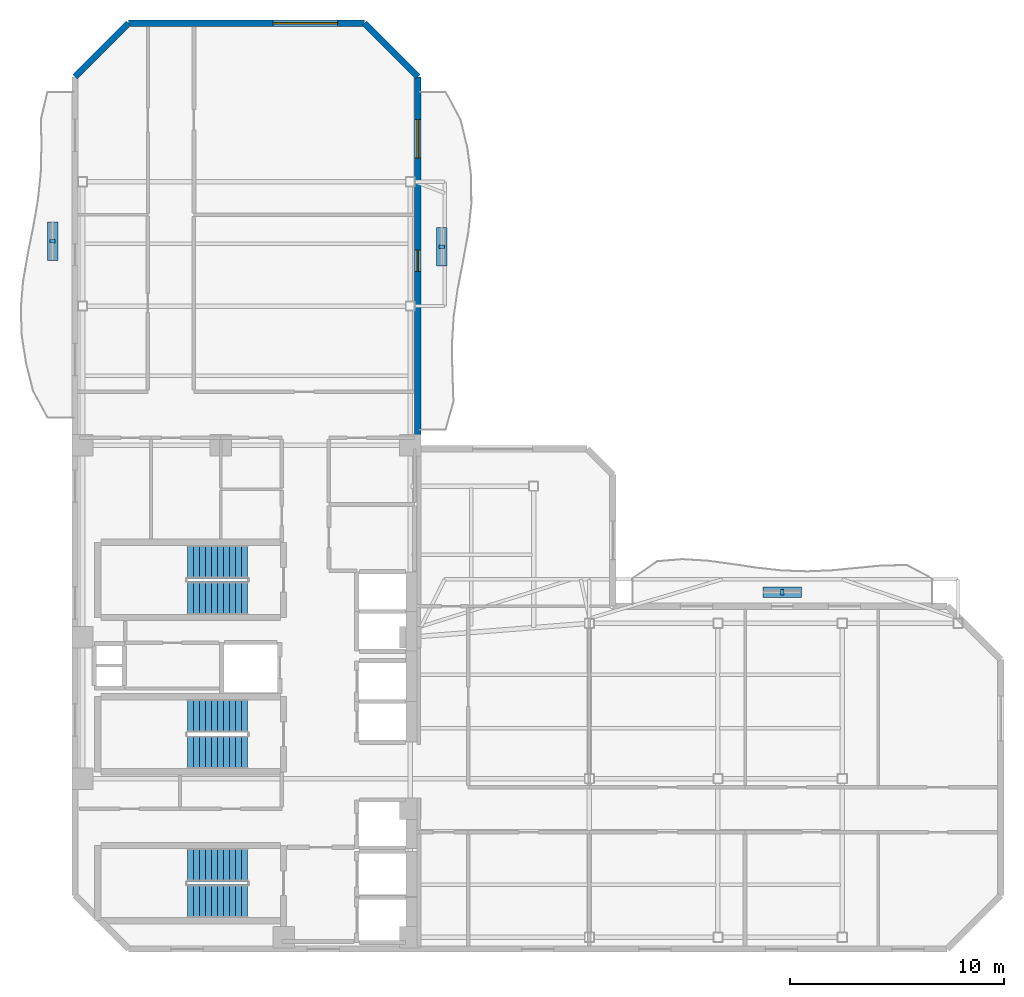
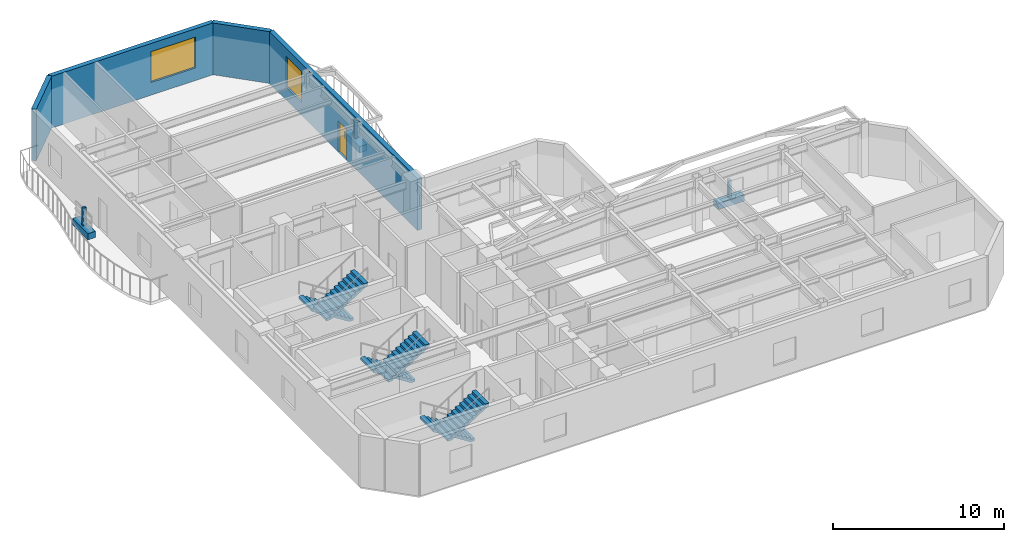
# One storey, part 6 of 9: 6 discrete accessories, 6 stair flights, 4 walls, 2 windows, 1 door, 3 openings, 3 elements without a shape of their own.
"""IFC4 building model written with IfcOpenShell, lengths in metres."""

import ifcopenshell
import ifcopenshell.guid

model = None  # the IFC model being written
_history = None  # IfcOwnerHistory: only IFC2X3 demands one
_inside = {}  # id of a spatial element -> (the spatial element, [elements in it])
_under = {}  # id of a project, library or spatial element -> (it, [spatial elements below it])
_declared = {}  # id of a project -> (the project, [libraries it declares])
_typed = {}  # id of a type object -> (the type object, [elements of that type])
_made_of = {}  # id of a material, layer set ... -> (it, [elements and type objects made of it])


def new_model(schema):
    """Start an empty IFC model of exactly this schema.

    Asked for "IFC4X3", IfcOpenShell would pick the latest addendum, in which some entities
    have other attributes; the version numbers below select the first issue.
    IFC2X3 requires an IfcOwnerHistory on every rooted entity: one is made here for all.
    """
    global model, _history
    if schema == "IFC4X3":
        model = ifcopenshell.file(schema_version=(4, 3, 0, 0))
    else:
        model = ifcopenshell.file(schema=schema)
    _inside.clear()
    _under.clear()
    _declared.clear()
    _typed.clear()
    _made_of.clear()
    _history = None
    if model.schema == "IFC2X3":
        org = make("IfcOrganization", Name="unknown")
        user = make(
            "IfcPersonAndOrganization",
            ThePerson=make("IfcPerson", FamilyName="unknown"),
            TheOrganization=org,
        )
        app = make(
            "IfcApplication",
            ApplicationDeveloper=org,
            Version="unknown",
            ApplicationFullName="unknown",
            ApplicationIdentifier="unknown",
        )
        _history = make(
            "IfcOwnerHistory",
            OwningUser=user,
            OwningApplication=app,
            ChangeAction="ADDED",
            CreationDate=0,
        )
    return model


def make(cls, **values):
    """One entity of the class cls with the attributes given. An attribute that is None is left unset."""
    return model.create_entity(
        cls, **{name: value for name, value in values.items() if value is not None}
    )


def rooted(cls, **values):
    """An entity with a GlobalId (a new one), such as an element, a storey or a relation."""
    return make(cls, GlobalId=ifcopenshell.guid.new(), OwnerHistory=_history, **values)


def si_unit(unit_type, name, prefix=None):
    """IfcSIUnit, for example si_unit("LENGTHUNIT", "METRE", prefix="MILLI")."""
    return make("IfcSIUnit", UnitType=unit_type, Prefix=prefix, Name=name)


def assignment(units):
    """IfcUnitAssignment: the units of a project."""
    return None if units is None else make("IfcUnitAssignment", Units=units)


def point(xyz):
    """IfcCartesianPoint."""
    return None if xyz is None else make("IfcCartesianPoint", Coordinates=xyz)


def direction(xyz):
    """IfcDirection."""
    return None if xyz is None else make("IfcDirection", DirectionRatios=xyz)


def frame(location, z_axis=None, x_axis=None):
    """IfcAxis2Placement3D, a coordinate frame: its origin and axes. An axis left out is left unset."""
    return make(
        "IfcAxis2Placement3D",
        Location=point(location),
        Axis=direction(z_axis),
        RefDirection=direction(x_axis),
    )


def frame_2d(location, x_axis=None):
    """IfcAxis2Placement2D, a coordinate frame in the plane: its origin and x axis."""
    return make(
        "IfcAxis2Placement2D", Location=point(location), RefDirection=direction(x_axis)
    )


def origin():
    """The frame at (0, 0, 0) with its axes left unset."""
    return frame((0.0, 0.0, 0.0))


def origin_2d():
    """The frame at (0, 0) in the plane with its x axis left unset."""
    return frame_2d((0.0, 0.0))


def place(relative_to, where):
    """IfcLocalPlacement: puts the frame where relative to a parent placement (None: the world)."""
    return make(
        "IfcLocalPlacement", PlacementRelTo=relative_to, RelativePlacement=where
    )


def context(
    kind, dimensions, precision=None, world=None, true_north=None, identifier=None
):
    """IfcGeometricRepresentationContext, for example the 3D "Model" context."""
    return make(
        "IfcGeometricRepresentationContext",
        ContextIdentifier=identifier,
        ContextType=kind,
        CoordinateSpaceDimension=dimensions,
        Precision=precision,
        WorldCoordinateSystem=world,
        TrueNorth=true_north,
    )


def subcontext(parent, identifier, kind, view, scale=None):
    """IfcGeometricRepresentationSubContext, for example "Body" below "Model"."""
    return make(
        "IfcGeometricRepresentationSubContext",
        ContextIdentifier=identifier,
        ContextType=kind,
        ParentContext=parent,
        TargetScale=scale,
        TargetView=view,
    )


def project(units=None, contexts=None):
    """IfcProject with its units and contexts."""
    return rooted(
        "IfcProject",
        Name="project",
        RepresentationContexts=contexts,
        UnitsInContext=assignment(units),
    )


def spatial(cls, under=None, at=None, **own):
    """A site, building, storey or space (cls), placed at a placement, below another one or the project."""
    s = rooted(cls, ObjectPlacement=at, **own)
    if under is not None:
        _under.setdefault(under.id(), (under, []))[1].append(s)
    return s


def polyline(points):
    """IfcPolyline through the points."""
    return make("IfcPolyline", Points=[point(p) for p in points])


def profile(cls, at=None, kind="AREA", **sizes):
    """A parametric profile (cls). Its sizes go by their IFC names, for example OverallWidth=200.0."""
    return make(cls, ProfileType=kind, Position=at, **sizes)


def rectangle(**sizes):
    """IfcRectangleProfileDef."""
    return profile("IfcRectangleProfileDef", **sizes)


def outline(outer, holes=None, kind="AREA"):
    """IfcArbitraryClosedProfileDef: a profile drawn as a closed curve; with holes, ...WithVoids."""
    if holes is None:
        return make("IfcArbitraryClosedProfileDef", ProfileType=kind, OuterCurve=outer)
    return make(
        "IfcArbitraryProfileDefWithVoids",
        ProfileType=kind,
        OuterCurve=outer,
        InnerCurves=holes,
    )


def extrude(swept, where, along, depth):
    """IfcExtrudedAreaSolid: the profile swept, set in the frame where, extruded along a direction by depth."""
    return make(
        "IfcExtrudedAreaSolid",
        SweptArea=swept,
        Position=where,
        ExtrudedDirection=direction(along),
        Depth=depth,
    )


def shape(context_of_items, identifier, shape_type, items):
    """IfcShapeRepresentation: the items that make up one representation, for example the "Body"."""
    return make(
        "IfcShapeRepresentation",
        ContextOfItems=context_of_items,
        RepresentationIdentifier=identifier,
        RepresentationType=shape_type,
        Items=items,
    )


def material(Name=None, Category=None):
    """IfcMaterial."""
    return make("IfcMaterial", Name=Name, Category=Category)


def layer(
    of_material, thickness, ventilated=None, Name=None, Category=None, Priority=None
):
    """IfcMaterialLayer: one layer of a wall or slab, of a material (None: an air gap)."""
    return make(
        "IfcMaterialLayer",
        Material=of_material,
        LayerThickness=thickness,
        IsVentilated=ventilated,
        Name=Name,
        Category=Category,
        Priority=Priority,
    )


def layer_set(layers, Name=None):
    """IfcMaterialLayerSet."""
    return make("IfcMaterialLayerSet", MaterialLayers=layers, LayerSetName=Name)


def made_of(thing, what):
    """Note that an element or type object is made of a material, layer set ...; save() writes the relation."""
    if what is not None:
        _made_of.setdefault(what.id(), (what, []))[1].append(thing)
    return thing


def type_object(cls, material=None, **own):
    """A type object (cls), such as IfcWallType, which elements share."""
    return made_of(rooted(cls, **own), material)


def element(
    cls,
    number,
    at=None,
    inside=None,
    cuts=None,
    type_object=None,
    material=None,
    context=None,
    identifier="Body",
    shape_type=None,
    held_by="IfcProductDefinitionShape",
    body=None,
    shapes=None,
    **own,
):
    """One element of the class cls, such as IfcWall. Its Tag is "e" and its number.

    at: its placement. inside: the storey or other place that contains it. cuts: it is an
    opening in that element (IfcRelVoidsElement). A single representation is given by context,
    identifier, shape_type and body (its items); several are given by shapes. held_by: the class
    of the entity that holds the representations. save() writes the other relations.
    """
    e = rooted(cls, Tag="e%d" % number, ObjectPlacement=at, **own)
    if body is not None:
        shapes = [shape(context, identifier, shape_type, body)]
    if shapes is not None:
        e.Representation = make(held_by, Representations=shapes)
    if inside is not None:
        _inside.setdefault(inside.id(), (inside, []))[1].append(e)
    if cuts is not None:
        rooted(
            "IfcRelVoidsElement", RelatingBuildingElement=cuts, RelatedOpeningElement=e
        )
    if type_object is not None:
        _typed.setdefault(type_object.id(), (type_object, []))[1].append(e)
    return made_of(e, material)


def fill(opening, filler):
    """IfcRelFillsElement: the door or window that sits in an opening."""
    return rooted(
        "IfcRelFillsElement",
        RelatingOpeningElement=opening,
        RelatedBuildingElement=filler,
    )


def aggregate(whole, parts):
    """IfcRelAggregates: a whole, such as a stair, and the parts it consists of."""
    return rooted("IfcRelAggregates", RelatingObject=whole, RelatedObjects=parts)


def save(model, path):
    """Write the relations noted so far, then the file.

    IfcRelAggregates (storeys below a building ...), IfcRelContainedInSpatialStructure (elements
    in a storey), IfcRelDefinesByType, IfcRelAssociatesMaterial and IfcRelDeclares: one each for
    every whole, place, type object, material and project.
    """
    for whole, parts in _under.values():
        aggregate(whole, parts)
    for where, things in _inside.values():
        rooted(
            "IfcRelContainedInSpatialStructure",
            RelatedElements=things,
            RelatingStructure=where,
        )
    for kind, things in _typed.values():
        rooted("IfcRelDefinesByType", RelatedObjects=things, RelatingType=kind)
    for what, things in _made_of.values():
        rooted("IfcRelAssociatesMaterial", RelatedObjects=things, RelatingMaterial=what)
    for by, libraries in _declared.values():
        rooted("IfcRelDeclares", RelatingContext=by, RelatedDefinitions=libraries)
    model.write(path)


model = new_model("IFC4")

# Units and contexts
model_context = context("Model", 3, precision=1e-05, world=origin(), true_north=direction((0.0, 1.0)))
body_context = subcontext(model_context, "Body", "Model", "MODEL_VIEW")
ifc_project = project(units=[si_unit("LENGTHUNIT", "METRE"), si_unit("AREAUNIT", "SQUARE_METRE"), si_unit("VOLUMEUNIT", "CUBIC_METRE"), si_unit("PLANEANGLEUNIT", "RADIAN"), si_unit("MASSUNIT", "GRAM", prefix="KILO")], contexts=[model_context])

# Site, building, storey
site_placement = place(None, origin())
site = spatial("IfcSite", under=ifc_project, at=site_placement, CompositionType="ELEMENT")
building_placement = place(site_placement, origin())
building = spatial("IfcBuilding", under=site, at=building_placement, Name="Mawjaban Terraces University", CompositionType="ELEMENT")
storey_placement = place(building_placement, frame((0.0, 0.0, 203.10009765625)))
storey = spatial("IfcBuildingStorey", under=building, at=storey_placement, Name="L49", CompositionType="ELEMENT", Elevation=203.10009765625)

# Wall, openings, door, window
ifc_material_1 = material(Name="Insulated terracotta rainscreen on concrete backup C40/50", Category="masonry")
ifc_layer = layer(ifc_material_1, 0.300048828125)
ifc_layer_set = layer_set([ifc_layer], Name="Insulated terracotta rainscreen on concrete backup C40/50")
wall_type = type_object("IfcWallType", Name="ExtTerracottaWall_300", PredefinedType="SOLIDWALL", material=ifc_layer_set)
wall_1_placement = place(storey_placement, frame((38.0, 23.3349609375, 0.0), z_axis=(0.0, 0.0, 1.0), x_axis=(0.0, 1.0, 0.0)))
wall_1 = element("IfcWall", 1, at=wall_1_placement, inside=storey, type_object=wall_type, Name="L49 Exterior Terracotta Wall 9", PredefinedType="SOLIDWALL", context=body_context, shape_type="SweptSolid", body=[
    extrude(rectangle(XDim=17.364990234375, YDim=0.300048828125, at=frame_2d((8.6826171875, 0.0))), origin(), (0.0, 0.0, 1.0), 3.68994140625),
])
opening_1_placement = place(wall_1_placement, frame((8.281982421875, 0.0, 0.0)))
opening_1 = element("IfcOpeningElement", 2, at=opening_1_placement, cuts=wall_1, Name="Opening BD-100", PredefinedType="OPENING", context=body_context, shape_type="SweptSolid", body=[
    extrude(rectangle(XDim=1.0, YDim=2.199951171875, at=frame_2d((0.5, 1.10009765625))), frame((0.0, 0.159912109375, 0.0), z_axis=(0.0, -1.0, 0.0), x_axis=(1.0, 0.0, 0.0)), (0.0, 0.0, 1.0), 0.320068359375),
])
opening_2_placement = place(wall_1_placement, frame((13.571044921875, 0.0, 0.89990234375)))
opening_2 = element("IfcOpeningElement", 3, at=opening_2_placement, cuts=wall_1, Name="Opening W-10", PredefinedType="OPENING", context=body_context, shape_type="SweptSolid", body=[
    extrude(rectangle(XDim=1.800048828125, YDim=2.199951171875, at=frame_2d((0.89990234375, 1.10009765625))), frame((0.0, 0.159912109375, 0.0), z_axis=(0.0, -1.0, 0.0), x_axis=(1.0, 0.0, 0.0)), (0.0, 0.0, 1.0), 0.320068359375),
])
ifc_material_2 = material(Name="Thermally broken anodised aluminium and laminated safety glass", Category="aluminium")
door_type = type_object("IfcDoorType", Name="BalconyGlazedDoor_1000x2200", OperationType="NOTDEFINED", PredefinedType="DOOR", material=ifc_material_2)
door_placement = place(opening_1_placement, origin())
door = element("IfcDoor", 4, at=door_placement, inside=storey, type_object=door_type, Name="L49 Balcony Access Door inner_east", OperationType="SINGLE_SWING_RIGHT", OverallHeight=2.199951171875, OverallWidth=1.0, PredefinedType="DOOR", context=body_context, shape_type="SweptSolid", body=[
    extrude(rectangle(XDim=1.0, YDim=2.199951171875, at=frame_2d((0.5, 1.10009765625))), frame((0.0, 0.02490234375, 0.0), z_axis=(0.0, -1.0, 0.0), x_axis=(1.0, 0.0, 0.0)), (0.0, 0.0, 1.0), 0.050048828125),
])
fill(opening_1, door)
ifc_material_3 = material(Name="Low-E solar-control double glazing in thermally broken aluminium frame", Category="aluminium")
window_type_1 = type_object("IfcWindowType", Name="Win_1800x2200", PartitioningType="SINGLE_PANEL", PredefinedType="WINDOW", material=ifc_material_3)
window_1_placement = place(opening_2_placement, origin())
window_1 = element("IfcWindow", 5, at=window_1_placement, inside=storey, type_object=window_type_1, Name="L49 Facade Window 9.3", OverallHeight=2.199951171875, OverallWidth=1.800048828125, PartitioningType="SINGLE_PANEL", PredefinedType="WINDOW", context=body_context, shape_type="SweptSolid", body=[
    extrude(rectangle(XDim=1.800048828125, YDim=2.199951171875, at=frame_2d((0.89990234375, 1.10009765625))), frame((0.0, 0.030029296875, 0.0), z_axis=(0.0, -1.0, 0.0), x_axis=(1.0, 0.0, 0.0)), (0.0, 0.0, 1.0), 0.06005859375),
])
fill(opening_2, window_1)

# Wall
wall_2_placement = place(storey_placement, frame((38.0, 40.699951171875, 0.0), z_axis=(0.0, 0.0, 1.0), x_axis=(-0.707106781187, 0.707106781187, 0.0)))
element("IfcWall", 6, at=wall_2_placement, inside=storey, type_object=wall_type, Name="L49 Exterior Terracotta Wall 10", PredefinedType="SOLIDWALL", context=body_context, shape_type="SweptSolid", body=[
    extrude(rectangle(XDim=3.53564453125, YDim=0.300048828125, at=frame_2d((1.767822265625, 0.0))), origin(), (0.0, 0.0, 1.0), 3.68994140625),
])

# Wall, opening, window
wall_3_placement = place(storey_placement, frame((35.5, 43.199951171875, 0.0), z_axis=(0.0, 0.0, 1.0), x_axis=(-1.0, 0.0, 0.0)))
wall_3 = element("IfcWall", 7, at=wall_3_placement, inside=storey, type_object=wall_type, Name="L49 Exterior Terracotta Wall 11", PredefinedType="SOLIDWALL", context=body_context, shape_type="SweptSolid", body=[
    extrude(rectangle(XDim=11.0, YDim=0.300048828125, at=frame_2d((5.5, 0.0))), origin(), (0.0, 0.0, 1.0), 3.68994140625),
])
opening_3_placement = place(wall_3_placement, frame((1.25, 0.0, 0.89990234375)))
opening_3 = element("IfcOpeningElement", 8, at=opening_3_placement, cuts=wall_3, Name="Opening W-12", PredefinedType="OPENING", context=body_context, shape_type="SweptSolid", body=[
    extrude(rectangle(XDim=3.0, YDim=2.199951171875, at=frame_2d((1.5, 1.10009765625))), frame((0.0, 0.159912109375, 0.0), z_axis=(0.0, -1.0, 0.0), x_axis=(1.0, 0.0, 0.0)), (0.0, 0.0, 1.0), 0.320068359375),
])
window_type_2 = type_object("IfcWindowType", Name="Win_3000x2200", PartitioningType="SINGLE_PANEL", PredefinedType="WINDOW", material=ifc_material_3)
window_2_placement = place(opening_3_placement, origin())
window_2 = element("IfcWindow", 9, at=window_2_placement, inside=storey, type_object=window_type_2, Name="L49 Facade Window 11.1", OverallHeight=2.199951171875, OverallWidth=3.0, PartitioningType="SINGLE_PANEL", PredefinedType="WINDOW", context=body_context, shape_type="SweptSolid", body=[
    extrude(rectangle(XDim=3.0, YDim=2.199951171875, at=frame_2d((1.5, 1.10009765625))), frame((0.0, 0.030029296875, 0.0), z_axis=(0.0, -1.0, 0.0), x_axis=(1.0, 0.0, 0.0)), (0.0, 0.0, 1.0), 0.06005859375),
])
fill(opening_3, window_2)

# Wall
wall_4_placement = place(storey_placement, frame((24.5, 43.199951171875, 0.0), z_axis=(0.0, 0.0, 1.0), x_axis=(-0.707106781187, -0.707106781187, 0.0)))
element("IfcWall", 10, at=wall_4_placement, inside=storey, type_object=wall_type, Name="L49 Exterior Terracotta Wall 12", PredefinedType="SOLIDWALL", context=body_context, shape_type="SweptSolid", body=[
    extrude(rectangle(XDim=3.53564453125, YDim=0.300048828125, at=frame_2d((1.767822265625, 0.0))), origin(), (0.0, 0.0, 1.0), 3.68994140625),
])

# Stair, stair flights
ifc_material_4 = material(Name="Concrete C40/50", Category="concrete")
stair_type = type_object("IfcStairType", Name="Stair_Core1550_H39", PredefinedType="HALF_TURN_STAIR", material=ifc_material_4)
stair_1_placement = place(storey_placement, origin())
stair_1 = element("IfcStair", 11, at=stair_1_placement, inside=storey, type_object=stair_type, Name="L49 Core Exit Stair 1", PredefinedType="HALF_TURN_STAIR")
stair_flight_type = type_object("IfcStairFlightType", Name="Flight_Core1550_H39", PredefinedType="STRAIGHT", material=ifc_material_4)
stair_flight_1_placement = place(storey_placement, frame((30.050048828125, 3.925048828125, 0.0), z_axis=(0.0, 0.0, 1.0), x_axis=(-1.0, 0.0, 0.0)))
stair_flight_1 = element("IfcStairFlight", 12, at=stair_flight_1_placement, type_object=stair_flight_type, Name="ST-1 flight 1", NumberOfRisers=11, NumberOfTreads=10, PredefinedType="STRAIGHT", RiserHeight=0.177272727, TreadLength=0.28, context=body_context, shape_type="SweptSolid", body=[
    extrude(outline(polyline([(0.0, 0.0), (0.0, 0.17724609375), (0.280029296875, 0.17724609375), (0.280029296875, 0.3544921875), (0.56005859375, 0.3544921875), (0.56005859375, 0.53173828125), (0.840087890625, 0.53173828125), (0.840087890625, 0.708984375), (1.1201171875, 0.708984375), (1.1201171875, 0.886474609375), (1.39990234375, 0.886474609375), (1.39990234375, 1.063720703125), (1.679931640625, 1.063720703125), (1.679931640625, 1.240966796875), (1.9599609375, 1.240966796875), (1.9599609375, 1.418212890625), (2.239990234375, 1.418212890625), (2.239990234375, 1.595458984375), (2.52001953125, 1.595458984375), (2.52001953125, 1.772705078125), (2.800048828125, 1.772705078125), (2.800048828125, 1.949951171875), (2.800048828125, 1.59521484375), (0.2802734375, 0.0), (0.0, 0.0)])), frame((0.0, 0.77490234375, 0.0), z_axis=(0.0, -1.0, 0.0), x_axis=(1.0, 0.0, 0.0)), (0.0, 0.0, 1.0), 1.550048828125),
])
stair_flight_2_placement = place(storey_placement, frame((27.25, 2.22509765625, 1.949951171875), z_axis=(0.0, 0.0, 1.0), x_axis=(1.0, 0.0, 0.0)))
stair_flight_2 = element("IfcStairFlight", 13, at=stair_flight_2_placement, type_object=stair_flight_type, Name="ST-1 flight 2", NumberOfRisers=11, NumberOfTreads=10, PredefinedType="STRAIGHT", RiserHeight=0.177272727, TreadLength=0.28, context=body_context, shape_type="SweptSolid", body=[
    extrude(outline(polyline([(0.0, 0.0), (0.0, 0.17724609375), (0.280029296875, 0.17724609375), (0.280029296875, 0.3544921875), (0.56005859375, 0.3544921875), (0.56005859375, 0.53173828125), (0.840087890625, 0.53173828125), (0.840087890625, 0.708984375), (1.1201171875, 0.708984375), (1.1201171875, 0.886474609375), (1.39990234375, 0.886474609375), (1.39990234375, 1.063720703125), (1.679931640625, 1.063720703125), (1.679931640625, 1.240966796875), (1.9599609375, 1.240966796875), (1.9599609375, 1.418212890625), (2.239990234375, 1.418212890625), (2.239990234375, 1.595458984375), (2.52001953125, 1.595458984375), (2.52001953125, 1.772705078125), (2.800048828125, 1.772705078125), (2.800048828125, 1.949951171875), (2.800048828125, 1.59521484375), (0.2802734375, 0.0), (0.0, 0.0)])), frame((0.0, 0.77490234375, 0.0), z_axis=(0.0, -1.0, 0.0), x_axis=(1.0, 0.0, 0.0)), (0.0, 0.0, 1.0), 1.550048828125),
])
aggregate(stair_1, [stair_flight_1, stair_flight_2])

stair_2_placement = place(storey_placement, origin())
stair_2 = element("IfcStair", 14, at=stair_2_placement, inside=storey, type_object=stair_type, Name="L49 Core Exit Stair 2", PredefinedType="HALF_TURN_STAIR")
stair_flight_3_placement = place(storey_placement, frame((30.050048828125, 18.074951171875, 0.0), z_axis=(0.0, 0.0, 1.0), x_axis=(-1.0, 0.0, 0.0)))
stair_flight_3 = element("IfcStairFlight", 15, at=stair_flight_3_placement, type_object=stair_flight_type, Name="ST-2 flight 1", NumberOfRisers=11, NumberOfTreads=10, PredefinedType="STRAIGHT", RiserHeight=0.177272727, TreadLength=0.28, context=body_context, shape_type="SweptSolid", body=[
    extrude(outline(polyline([(0.0, 0.0), (0.0, 0.17724609375), (0.280029296875, 0.17724609375), (0.280029296875, 0.3544921875), (0.56005859375, 0.3544921875), (0.56005859375, 0.53173828125), (0.840087890625, 0.53173828125), (0.840087890625, 0.708984375), (1.1201171875, 0.708984375), (1.1201171875, 0.886474609375), (1.39990234375, 0.886474609375), (1.39990234375, 1.063720703125), (1.679931640625, 1.063720703125), (1.679931640625, 1.240966796875), (1.9599609375, 1.240966796875), (1.9599609375, 1.418212890625), (2.239990234375, 1.418212890625), (2.239990234375, 1.595458984375), (2.52001953125, 1.595458984375), (2.52001953125, 1.772705078125), (2.800048828125, 1.772705078125), (2.800048828125, 1.949951171875), (2.800048828125, 1.59521484375), (0.2802734375, 0.0), (0.0, 0.0)])), frame((0.0, 0.77490234375, 0.0), z_axis=(0.0, -1.0, 0.0), x_axis=(1.0, 0.0, 0.0)), (0.0, 0.0, 1.0), 1.550048828125),
])
stair_flight_4_placement = place(storey_placement, frame((27.25, 16.375, 1.949951171875), z_axis=(0.0, 0.0, 1.0), x_axis=(1.0, 0.0, 0.0)))
stair_flight_4 = element("IfcStairFlight", 16, at=stair_flight_4_placement, type_object=stair_flight_type, Name="ST-2 flight 2", NumberOfRisers=11, NumberOfTreads=10, PredefinedType="STRAIGHT", RiserHeight=0.177272727, TreadLength=0.28, context=body_context, shape_type="SweptSolid", body=[
    extrude(outline(polyline([(0.0, 0.0), (0.0, 0.17724609375), (0.280029296875, 0.17724609375), (0.280029296875, 0.3544921875), (0.56005859375, 0.3544921875), (0.56005859375, 0.53173828125), (0.840087890625, 0.53173828125), (0.840087890625, 0.708984375), (1.1201171875, 0.708984375), (1.1201171875, 0.886474609375), (1.39990234375, 0.886474609375), (1.39990234375, 1.063720703125), (1.679931640625, 1.063720703125), (1.679931640625, 1.240966796875), (1.9599609375, 1.240966796875), (1.9599609375, 1.418212890625), (2.239990234375, 1.418212890625), (2.239990234375, 1.595458984375), (2.52001953125, 1.595458984375), (2.52001953125, 1.772705078125), (2.800048828125, 1.772705078125), (2.800048828125, 1.949951171875), (2.800048828125, 1.59521484375), (0.2802734375, 0.0), (0.0, 0.0)])), frame((0.0, 0.77490234375, 0.0), z_axis=(0.0, -1.0, 0.0), x_axis=(1.0, 0.0, 0.0)), (0.0, 0.0, 1.0), 1.550048828125),
])
aggregate(stair_2, [stair_flight_3, stair_flight_4])

stair_3_placement = place(storey_placement, origin())
stair_3 = element("IfcStair", 17, at=stair_3_placement, inside=storey, type_object=stair_type, Name="L49 Core Exit Stair 3", PredefinedType="HALF_TURN_STAIR")
stair_flight_5_placement = place(storey_placement, frame((30.050048828125, 10.875, 0.0), z_axis=(0.0, 0.0, 1.0), x_axis=(-1.0, 0.0, 0.0)))
stair_flight_5 = element("IfcStairFlight", 18, at=stair_flight_5_placement, type_object=stair_flight_type, Name="ST-3 flight 1", NumberOfRisers=11, NumberOfTreads=10, PredefinedType="STRAIGHT", RiserHeight=0.177272727, TreadLength=0.28, context=body_context, shape_type="SweptSolid", body=[
    extrude(outline(polyline([(0.0, 0.0), (0.0, 0.17724609375), (0.280029296875, 0.17724609375), (0.280029296875, 0.3544921875), (0.56005859375, 0.3544921875), (0.56005859375, 0.53173828125), (0.840087890625, 0.53173828125), (0.840087890625, 0.708984375), (1.1201171875, 0.708984375), (1.1201171875, 0.886474609375), (1.39990234375, 0.886474609375), (1.39990234375, 1.063720703125), (1.679931640625, 1.063720703125), (1.679931640625, 1.240966796875), (1.9599609375, 1.240966796875), (1.9599609375, 1.418212890625), (2.239990234375, 1.418212890625), (2.239990234375, 1.595458984375), (2.52001953125, 1.595458984375), (2.52001953125, 1.772705078125), (2.800048828125, 1.772705078125), (2.800048828125, 1.949951171875), (2.800048828125, 1.59521484375), (0.2802734375, 0.0), (0.0, 0.0)])), frame((0.0, 0.77490234375, 0.0), z_axis=(0.0, -1.0, 0.0), x_axis=(1.0, 0.0, 0.0)), (0.0, 0.0, 1.0), 1.550048828125),
])
stair_flight_6_placement = place(storey_placement, frame((27.25, 9.175048828125, 1.949951171875), z_axis=(0.0, 0.0, 1.0), x_axis=(1.0, 0.0, 0.0)))
stair_flight_6 = element("IfcStairFlight", 19, at=stair_flight_6_placement, type_object=stair_flight_type, Name="ST-3 flight 2", NumberOfRisers=11, NumberOfTreads=10, PredefinedType="STRAIGHT", RiserHeight=0.177272727, TreadLength=0.28, context=body_context, shape_type="SweptSolid", body=[
    extrude(outline(polyline([(0.0, 0.0), (0.0, 0.17724609375), (0.280029296875, 0.17724609375), (0.280029296875, 0.3544921875), (0.56005859375, 0.3544921875), (0.56005859375, 0.53173828125), (0.840087890625, 0.53173828125), (0.840087890625, 0.708984375), (1.1201171875, 0.708984375), (1.1201171875, 0.886474609375), (1.39990234375, 0.886474609375), (1.39990234375, 1.063720703125), (1.679931640625, 1.063720703125), (1.679931640625, 1.240966796875), (1.9599609375, 1.240966796875), (1.9599609375, 1.418212890625), (2.239990234375, 1.418212890625), (2.239990234375, 1.595458984375), (2.52001953125, 1.595458984375), (2.52001953125, 1.772705078125), (2.800048828125, 1.772705078125), (2.800048828125, 1.949951171875), (2.800048828125, 1.59521484375), (0.2802734375, 0.0), (0.0, 0.0)])), frame((0.0, 0.77490234375, 0.0), z_axis=(0.0, -1.0, 0.0), x_axis=(1.0, 0.0, 0.0)), (0.0, 0.0, 1.0), 1.550048828125),
])
aggregate(stair_3, [stair_flight_5, stair_flight_6])

# Discrete accessories
ifc_material_5 = material(Name="Stainless steel 316L", Category="steel")
discrete_accessory_type_1 = type_object("IfcDiscreteAccessoryType", Name="FacadeScreenBracket_Steel", PredefinedType="BRACKET", material=ifc_material_5)
for number, where, z_axis, x_axis, name in (
    (20, (20.9580078125, 33.033935546875, 0.419921875), (0.0, 0.0, 1.0), (0.0, 1.0, 0.0), "L49 Balcony Screen Support Bracket west"),
    (21, (55.0, 16.64501953125, 0.419921875), (0.0, 0.0, 1.0), (1.0, 0.0, 0.0), "L49 Balcony Screen Support Bracket inner_north"),
    (22, (39.114990234375, 32.77392578125, 0.419921875), (0.0, 0.0, 1.0), (0.0, 1.0, 0.0), "L49 Balcony Screen Support Bracket inner_east"),
):
    element("IfcDiscreteAccessory", number, at=place(storey_placement, frame(where, z_axis=z_axis, x_axis=x_axis)), inside=storey, type_object=discrete_accessory_type_1, Name=name, PredefinedType="BRACKET", context=body_context, shape_type="SweptSolid", body=[
        extrude(rectangle(XDim=0.159912109375, YDim=0.239990234375, at=origin_2d()), origin(), (0.0, 0.0, 1.0), 1.300048828125),
    ])
ifc_material_6 = material(Name="Precast architectural terracotta planter with engineered planting soil", Category="masonry")
discrete_accessory_type_2 = type_object("IfcDiscreteAccessoryType", Name="IrrigatedPlanterTrough_450", PredefinedType="USERDEFINED", material=ifc_material_6)
for number, where, z_axis, x_axis, name in (
    (23, (20.9580078125, 33.033935546875, -0.0048828125), (0.0, 0.0, 1.0), (0.0, 1.0, 0.0), "L49 Balcony Irrigated Planter west"),
    (24, (55.0, 16.64501953125, -0.0048828125), (0.0, 0.0, 1.0), (1.0, 0.0, 0.0), "L49 Balcony Irrigated Planter inner_north"),
    (25, (39.114990234375, 32.77392578125, -0.0048828125), (0.0, 0.0, 1.0), (0.0, 1.0, 0.0), "L49 Balcony Irrigated Planter inner_east"),
):
    element("IfcDiscreteAccessory", number, at=place(storey_placement, frame(where, z_axis=z_axis, x_axis=x_axis)), inside=storey, type_object=discrete_accessory_type_2, Name=name, ObjectType="PLANTER", PredefinedType="USERDEFINED", context=body_context, shape_type="SweptSolid", body=[
        extrude(rectangle(XDim=1.800048828125, YDim=0.5, at=origin_2d()), origin(), (0.0, 0.0, 1.0), 0.449951171875),
    ])

save(model, "model.ifc")
